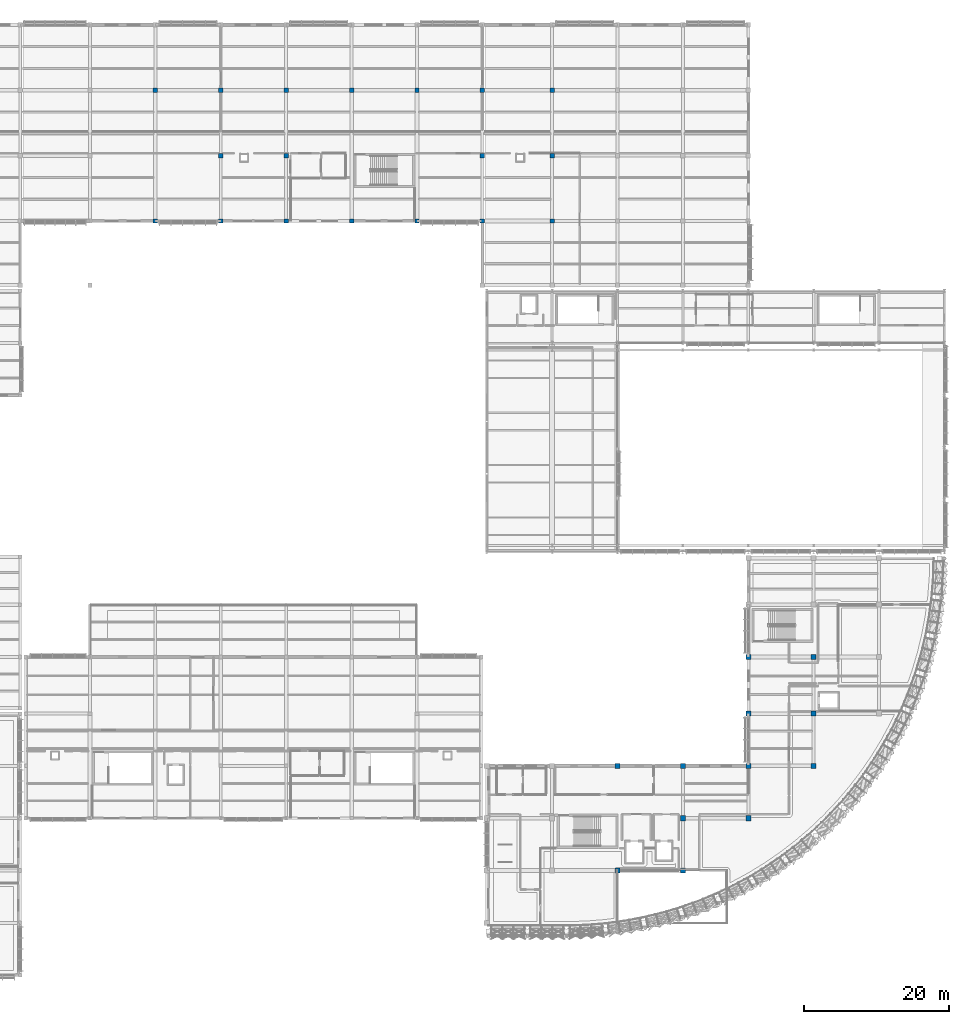
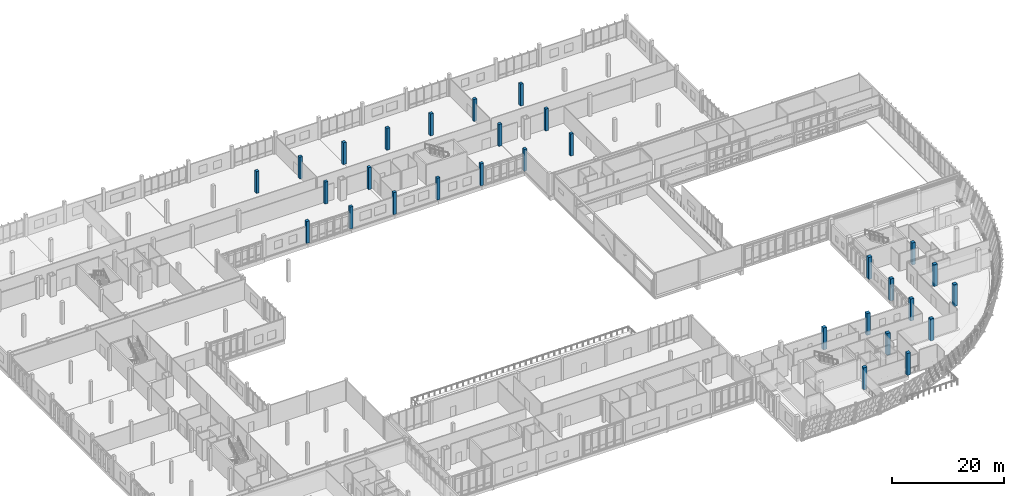
# One storey, part 5 of 177: 30 columns.
"""IFC4 building model written with IfcOpenShell, lengths in metres."""

from ifc_helpers import new_model, si_unit, direction, frame, origin, origin_2d, place, context, subcontext, project, spatial, rectangle, extrude, material, material_profile, profile_set, type_object, element, save


model = new_model("IFC4")

# Units and contexts
model_context = context("Model", 3, precision=1e-05, world=origin(), true_north=direction((0.0, 1.0)))
body_context = subcontext(model_context, "Body", "Model", "MODEL_VIEW")
ifc_project = project(units=[si_unit("LENGTHUNIT", "METRE"), si_unit("AREAUNIT", "SQUARE_METRE"), si_unit("VOLUMEUNIT", "CUBIC_METRE"), si_unit("PLANEANGLEUNIT", "RADIAN"), si_unit("MASSUNIT", "GRAM", prefix="KILO")], contexts=[model_context])

# Site, building, storey
site_placement = place(None, origin())
site = spatial("IfcSite", under=ifc_project, at=site_placement, CompositionType="ELEMENT")
building_placement = place(site_placement, origin())
building = spatial("IfcBuilding", under=site, at=building_placement, Name="Chiffa Square Polytechnic", CompositionType="ELEMENT")
storey_placement = place(building_placement, frame((0.0, 0.0, 4.800048828125)))
storey = spatial("IfcBuildingStorey", under=building, at=storey_placement, Name="L01", CompositionType="ELEMENT", Elevation=4.800048828125)

# Columns
ifc_material = material(Name="Concrete C40/50", Category="concrete")
ifc_material_profile_1 = material_profile(ifc_material, rectangle(XDim=0.60009765625, YDim=0.60009765625, at=origin_2d()), Name="RC 600x600")
ifc_profile_set_1 = profile_set([ifc_material_profile_1], Name="Concrete C40/50")
column_type_1 = type_object("IfcColumnType", Name="COL-RC-600", PredefinedType="COLUMN", material=ifc_profile_set_1)
for number, where, z_axis, x_axis, name in (
    (1, (66.60009765625, 103.800048828125, 0.0), (0.0, 0.0, 1.0), (1.0, 0.0, 0.0), "Column C-V5-L01-0666-1038"),
    (2, (66.60009765625, 121.800048828125, 0.0), (0.0, 0.0, 1.0), (1.0, 0.0, 0.0), "Column C-V5-L01-0666-1218"),
    (3, (75.60009765625, 103.800048828125, 0.0), (0.0, 0.0, 1.0), (1.0, 0.0, 0.0), "Column C-V5-L01-0756-1038"),
    (4, (75.60009765625, 112.800048828125, 0.0), (0.0, 0.0, 1.0), (1.0, 0.0, 0.0), "Column C-V5-L01-0756-1128"),
    (5, (75.60009765625, 121.800048828125, 0.0), (0.0, 0.0, 1.0), (1.0, 0.0, 0.0), "Column C-V5-L01-0756-1218"),
    (6, (84.60009765625, 103.800048828125, 0.0), (0.0, 0.0, 1.0), (1.0, 0.0, 0.0), "Column C-V5-L01-0846-1038"),
    (7, (84.60009765625, 112.800048828125, 0.0), (0.0, 0.0, 1.0), (1.0, 0.0, 0.0), "Column C-V5-L01-0846-1128"),
    (8, (84.60009765625, 121.800048828125, 0.0), (0.0, 0.0, 1.0), (1.0, 0.0, 0.0), "Column C-V5-L01-0846-1218"),
    (9, (93.60009765625, 103.800048828125, 0.0), (0.0, 0.0, 1.0), (1.0, 0.0, 0.0), "Column C-V5-L01-0936-1038"),
    (10, (93.60009765625, 121.800048828125, 0.0), (0.0, 0.0, 1.0), (1.0, 0.0, 0.0), "Column C-V5-L01-0936-1218"),
    (11, (102.60009765625, 103.800048828125, 0.0), (0.0, 0.0, 1.0), (1.0, 0.0, 0.0), "Column C-V5-L01-1026-1038"),
    (12, (102.60009765625, 121.800048828125, 0.0), (0.0, 0.0, 1.0), (1.0, 0.0, 0.0), "Column C-V5-L01-1026-1218"),
    (13, (111.60009765625, 103.800048828125, 0.0), (0.0, 0.0, 1.0), (1.0, 0.0, 0.0), "Column C-V5-L01-1116-1038"),
    (14, (111.60009765625, 112.800048828125, 0.0), (0.0, 0.0, 1.0), (1.0, 0.0, 0.0), "Column C-V5-L01-1116-1128"),
    (15, (111.60009765625, 121.800048828125, 0.0), (0.0, 0.0, 1.0), (1.0, 0.0, 0.0), "Column C-V5-L01-1116-1218"),
    (16, (121.199951171875, 103.800048828125, 0.0), (0.0, 0.0, 1.0), (1.0, 0.0, 0.0), "Column C-V5-L01-1212-1038"),
    (17, (121.199951171875, 112.800048828125, 0.0), (0.0, 0.0, 1.0), (1.0, 0.0, 0.0), "Column C-V5-L01-1212-1128"),
    (18, (121.199951171875, 121.800048828125, 0.0), (0.0, 0.0, 1.0), (1.0, 0.0, 0.0), "Column C-V5-L01-1212-1218"),
):
    element("IfcColumn", number, at=place(storey_placement, frame(where, z_axis=z_axis, x_axis=x_axis)), inside=storey, type_object=column_type_1, Name=name, PredefinedType="COLUMN", context=body_context, shape_type="SweptSolid", body=[
        extrude(rectangle(XDim=0.60009765625, YDim=0.60009765625, at=origin_2d()), origin(), (0.0, 0.0, 1.0), 4.800048828125),
    ])
ifc_material_profile_2 = material_profile(ifc_material, rectangle(XDim=0.699951171875, YDim=0.699951171875, at=origin_2d()), Name="RC 700x700")
ifc_profile_set_2 = profile_set([ifc_material_profile_2], Name="Concrete C40/50")
column_type_2 = type_object("IfcColumnType", Name="COL-RC-700", PredefinedType="COLUMN", material=ifc_profile_set_2)
for number, where, z_axis, x_axis, name in (
    (19, (130.199951171875, 14.39990234375, 0.0), (0.0, 0.0, 1.0), (1.0, 0.0, 0.0), "Column C-V1-L01-1302-0144"),
    (20, (130.199951171875, 28.800048828125, 0.0), (0.0, 0.0, 1.0), (1.0, 0.0, 0.0), "Column C-V1-L01-1302-0288"),
    (21, (139.199951171875, 14.39990234375, 0.0), (0.0, 0.0, 1.0), (1.0, 0.0, 0.0), "Column C-V1-L01-1392-0144"),
    (22, (139.199951171875, 21.60009765625, 0.0), (0.0, 0.0, 1.0), (1.0, 0.0, 0.0), "Column C-V1-L01-1392-0216"),
    (23, (139.199951171875, 28.800048828125, 0.0), (0.0, 0.0, 1.0), (1.0, 0.0, 0.0), "Column C-V1-L01-1392-0288"),
    (24, (148.199951171875, 21.60009765625, 0.0), (0.0, 0.0, 1.0), (1.0, 0.0, 0.0), "Column C-V1-L01-1482-0216"),
    (25, (148.199951171875, 28.800048828125, 0.0), (0.0, 0.0, 1.0), (1.0, 0.0, 0.0), "Column C-V1-L01-1482-0288"),
    (26, (148.199951171875, 36.0, 0.0), (0.0, 0.0, 1.0), (1.0, 0.0, 0.0), "Column C-V1-L01-1482-0360"),
    (27, (148.199951171875, 43.800048828125, 0.0), (0.0, 0.0, 1.0), (1.0, 0.0, 0.0), "Column C-V1-L01-1482-0438"),
    (28, (157.199951171875, 28.800048828125, 0.0), (0.0, 0.0, 1.0), (1.0, 0.0, 0.0), "Column C-V1-L01-1572-0288"),
    (29, (157.199951171875, 36.0, 0.0), (0.0, 0.0, 1.0), (1.0, 0.0, 0.0), "Column C-V1-L01-1572-0360"),
    (30, (157.199951171875, 43.800048828125, 0.0), (0.0, 0.0, 1.0), (1.0, 0.0, 0.0), "Column C-V1-L01-1572-0438"),
):
    element("IfcColumn", number, at=place(storey_placement, frame(where, z_axis=z_axis, x_axis=x_axis)), inside=storey, type_object=column_type_2, Name=name, PredefinedType="COLUMN", context=body_context, shape_type="SweptSolid", body=[
        extrude(rectangle(XDim=0.699951171875, YDim=0.699951171875, at=origin_2d()), origin(), (0.0, 0.0, 1.0), 4.800048828125),
    ])

save(model, "model.ifc")
